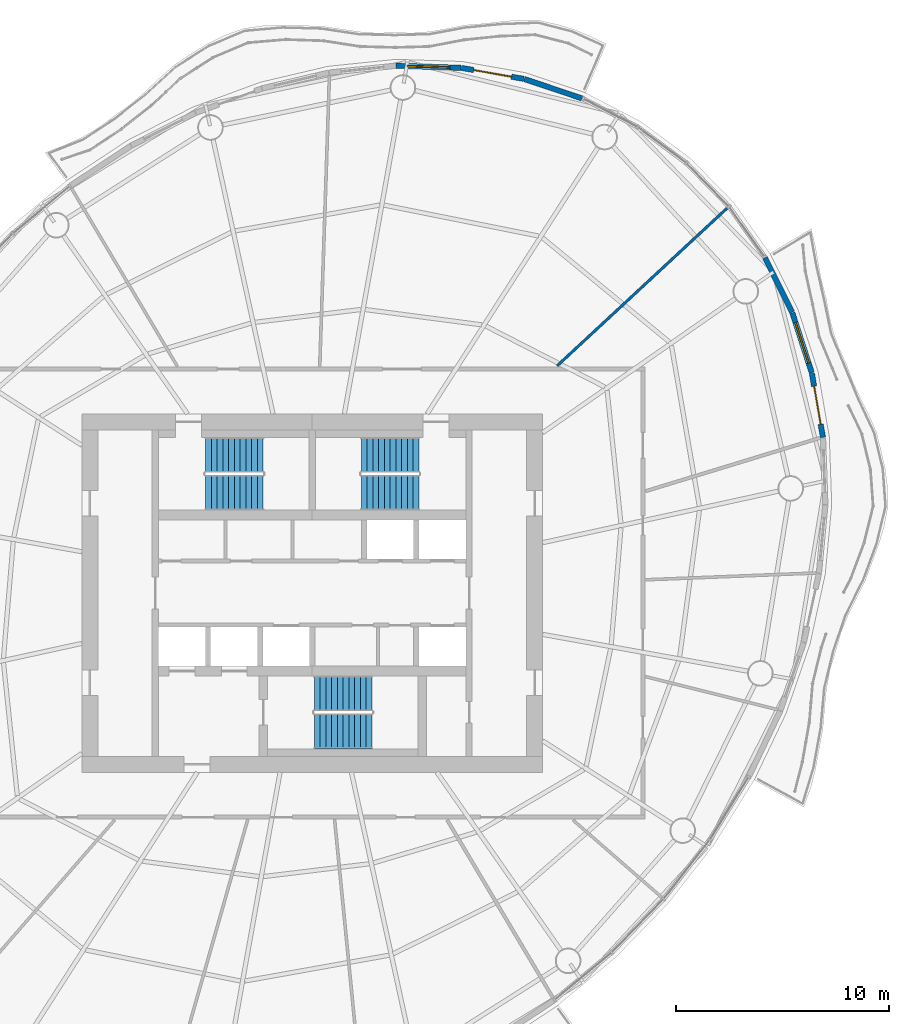
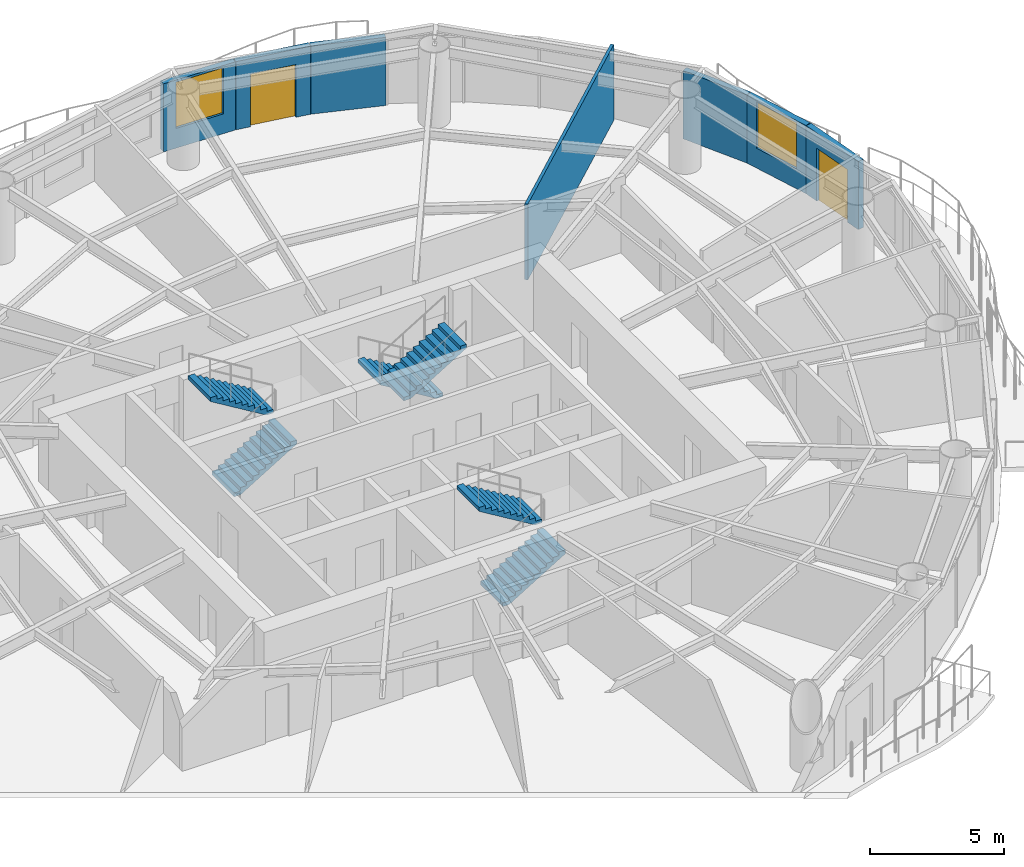
# One storey, part 11 of 14: 7 walls, 6 stair flights, 2 doors, 2 windows, 4 openings, 3 elements without a shape of their own.
"""IFC4 building model written with IfcOpenShell, lengths in metres."""

from ifc_helpers import new_model, si_unit, direction, frame, frame_2d, origin, place, context, subcontext, project, spatial, polyline, rectangle, outline, extrude, material, layer, layer_set, type_object, element, fill, aggregate, save


model = new_model("IFC4")

# Units and contexts
model_context = context("Model", 3, precision=1e-05, world=origin(), true_north=direction((0.0, 1.0)))
body_context = subcontext(model_context, "Body", "Model", "MODEL_VIEW")
ifc_project = project(units=[si_unit("LENGTHUNIT", "METRE"), si_unit("AREAUNIT", "SQUARE_METRE"), si_unit("VOLUMEUNIT", "CUBIC_METRE"), si_unit("PLANEANGLEUNIT", "RADIAN"), si_unit("MASSUNIT", "GRAM", prefix="KILO")], contexts=[model_context])

# Site, building, storey
site_placement = place(None, origin())
site = spatial("IfcSite", under=ifc_project, at=site_placement, CompositionType="ELEMENT")
building_placement = place(site_placement, origin())
building = spatial("IfcBuilding", under=site, at=building_placement, Name="Vermilion Reach Broadcast Tower", CompositionType="ELEMENT")
storey_placement = place(building_placement, frame((0.0, 0.0, 228.10009765625)))
storey = spatial("IfcBuildingStorey", under=building, at=storey_placement, Name="L56", CompositionType="ELEMENT", Elevation=228.10009765625)

# Walls
ifc_material_1 = material(Name="Fire-rated plasterboard on steel stud", Category="steel")
ifc_layer_1 = layer(ifc_material_1, 0.125)
ifc_layer_set_1 = layer_set([ifc_layer_1], Name="Partition 125 fire-rated stud")
wall_type_1 = type_object("IfcWallType", Name="Partition 125 fire-rated stud", PredefinedType="PARTITIONING", material=ifc_layer_set_1)
wall_1_placement = place(storey_placement, frame((13.437255859375, 18.03076171875, 0.0), z_axis=(0.0, 0.0, 1.0), x_axis=(-0.733128123603, -0.680090548665, 0.0)))
element("IfcWall", 1, at=wall_1_placement, inside=storey, type_object=wall_type_1, Name="Partition 56.14", PredefinedType="PARTITIONING", context=body_context, shape_type="SweptSolid", body=[
    extrude(rectangle(XDim=10.85888671875, YDim=0.125, at=frame_2d((5.429443359375, 0.0))), origin(), (0.0, 0.0, 1.0), 3.449951171875),
])
ifc_material_2 = material(Name="Terracotta rainscreen cladding", Category="masonry")
ifc_layer_2 = layer(ifc_material_2, 0.25)
ifc_layer_set_2 = layer_set([ifc_layer_2], Name="Terracotta rainscreen wall 250")
wall_type_2 = type_object("IfcWallType", Name="Terracotta rainscreen wall 250", PredefinedType="SOLIDWALL", material=ifc_layer_set_2)
wall_2_placement = place(storey_placement, frame((6.6416015625, 23.18310546875, 0.0), z_axis=(0.0, 0.0, 1.0), x_axis=(-0.948125770961, 0.31789545835, 0.0)))
element("IfcWall", 2, at=wall_2_placement, inside=storey, type_object=wall_type_2, Name="External wall L56 02", PredefinedType="SOLIDWALL", context=body_context, shape_type="SweptSolid", body=[
    extrude(rectangle(XDim=2.853759765625, YDim=0.25, at=frame_2d((1.4267578125, 0.0))), origin(), (0.0, 0.0, 1.0), 3.099853515625),
])

# Wall, opening, door
wall_3_placement = place(storey_placement, frame((3.91015625, 24.096923828125, 0.0), z_axis=(0.0, 0.0, 1.0), x_axis=(-0.984808450363, 0.173644222745, 0.0)))
wall_3 = element("IfcWall", 3, at=wall_3_placement, inside=storey, type_object=wall_type_2, Name="External wall L56 03", PredefinedType="SOLIDWALL", context=body_context, shape_type="SweptSolid", body=[
    extrude(rectangle(XDim=2.9609375, YDim=0.25, at=frame_2d((1.48046875, 0.0))), origin(), (0.0, 0.0, 1.0), 3.099853515625),
])
opening_1_placement = place(wall_3_placement, frame((0.580078125, 0.0, 0.0)))
opening_1 = element("IfcOpeningElement", 4, at=opening_1_placement, cuts=wall_3, Name="Opening D70", PredefinedType="OPENING", context=body_context, shape_type="SweptSolid", body=[
    extrude(rectangle(XDim=1.800048828125, YDim=2.39990234375, at=frame_2d((0.89990234375, 1.199951171875))), frame((0.0, 0.135009765625, 0.0), z_axis=(0.0, -1.0, 0.0), x_axis=(1.0, 0.0, 0.0)), (0.0, 0.0, 1.0), 0.27001953125),
])
ifc_material_3 = material(Name="Low-e laminated clear glass in aluminium frame", Category="aluminium")
door_type = type_object("IfcDoorType", Name="Balcony sliding door 1800 x 2400", OperationType="DOUBLE_DOOR_SLIDING", PredefinedType="DOOR", material=ifc_material_3)
door_1_placement = place(opening_1_placement, origin())
door_1 = element("IfcDoor", 5, at=door_1_placement, inside=storey, type_object=door_type, Name="Balcony door L56 run 01", OperationType="DOUBLE_DOOR_SLIDING", OverallHeight=2.39990234375, OverallWidth=1.800048828125, PredefinedType="DOOR", context=body_context, shape_type="SweptSolid", body=[
    extrude(rectangle(XDim=1.800048828125, YDim=2.39990234375, at=frame_2d((0.89990234375, 1.199951171875))), frame((0.0, 0.02490234375, 0.0), z_axis=(0.0, -1.0, 0.0), x_axis=(1.0, 0.0, 0.0)), (0.0, 0.0, 1.0), 0.050048828125),
])
fill(opening_1, door_1)

# Wall, opening, window
wall_4_placement = place(storey_placement, frame((0.968505859375, 24.61376953125, 0.0), z_axis=(0.0, 0.0, 1.0), x_axis=(-0.999483698552, 0.032129991113, 0.0)))
wall_4 = element("IfcWall", 6, at=wall_4_placement, inside=storey, type_object=wall_type_2, Name="External wall L56 04", PredefinedType="SOLIDWALL", context=body_context, shape_type="SweptSolid", body=[
    extrude(rectangle(XDim=3.039306640625, YDim=0.25, at=frame_2d((1.51953125, 0.0))), origin(), (0.0, 0.0, 1.0), 3.099853515625),
])
opening_2_placement = place(wall_4_placement, frame((0.519775390625, 0.0, 0.89990234375)))
opening_2 = element("IfcOpeningElement", 7, at=opening_2_placement, cuts=wall_4, Name="Opening W03", PredefinedType="OPENING", context=body_context, shape_type="SweptSolid", body=[
    extrude(rectangle(XDim=2.0, YDim=2.10009765625, at=frame_2d((1.0, 1.050048828125))), frame((0.0, 0.135009765625, 0.0), z_axis=(0.0, -1.0, 0.0), x_axis=(1.0, 0.0, 0.0)), (0.0, 0.0, 1.0), 0.27001953125),
])
ifc_material_4 = material(Name="Low-e laminated clear glass in aluminium frame", Category="aluminium")
window_type = type_object("IfcWindowType", Name="Punched window 2000 x 2100 sill 900", PartitioningType="SINGLE_PANEL", PredefinedType="WINDOW", material=ifc_material_4)
window_1_placement = place(opening_2_placement, origin())
window_1 = element("IfcWindow", 8, at=window_1_placement, inside=storey, type_object=window_type, Name="Window L56 04", OverallHeight=2.10009765625, OverallWidth=2.0, PartitioningType="SINGLE_PANEL", PredefinedType="WINDOW", context=body_context, shape_type="SweptSolid", body=[
    extrude(rectangle(XDim=2.0, YDim=2.10009765625, at=frame_2d((1.0, 1.050048828125))), frame((0.0, 0.030029296875, 0.0), z_axis=(0.0, -1.0, 0.0), x_axis=(1.0, 0.0, 0.0)), (0.0, 0.0, 1.0), 0.06005859375),
])
fill(opening_2, window_1)

# Wall, opening, door
wall_5_placement = place(storey_placement, frame((17.934326171875, 7.29833984375, 0.0), z_axis=(0.0, 0.0, 1.0), x_axis=(-0.169645994058, 0.985505066806, 0.0)))
wall_5 = element("IfcWall", 9, at=wall_5_placement, inside=storey, type_object=wall_type_2, Name="External wall L56 43", PredefinedType="SOLIDWALL", context=body_context, shape_type="SweptSolid", body=[
    extrude(rectangle(XDim=3.039306640625, YDim=0.25, at=frame_2d((1.51953125, 0.0))), origin(), (0.0, 0.0, 1.0), 3.099853515625),
])
opening_3_placement = place(wall_5_placement, frame((0.6201171875, 0.0, 0.0)))
opening_3 = element("IfcOpeningElement", 10, at=opening_3_placement, cuts=wall_5, Name="Opening D70", PredefinedType="OPENING", context=body_context, shape_type="SweptSolid", body=[
    extrude(rectangle(XDim=1.800048828125, YDim=2.39990234375, at=frame_2d((0.89990234375, 1.199951171875))), frame((0.0, 0.135009765625, 0.0), z_axis=(0.0, -1.0, 0.0), x_axis=(1.0, 0.0, 0.0)), (0.0, 0.0, 1.0), 0.27001953125),
])
door_2_placement = place(opening_3_placement, origin())
door_2 = element("IfcDoor", 11, at=door_2_placement, inside=storey, type_object=door_type, Name="Balcony door L56 run 11", OperationType="DOUBLE_DOOR_SLIDING", OverallHeight=2.39990234375, OverallWidth=1.800048828125, PredefinedType="DOOR", context=body_context, shape_type="SweptSolid", body=[
    extrude(rectangle(XDim=1.800048828125, YDim=2.39990234375, at=frame_2d((0.89990234375, 1.199951171875))), frame((0.0, 0.02490234375, 0.0), z_axis=(0.0, -1.0, 0.0), x_axis=(1.0, 0.0, 0.0)), (0.0, 0.0, 1.0), 0.050048828125),
])
fill(opening_3, door_2)

# Wall, opening, window
wall_6_placement = place(storey_placement, frame((17.41259765625, 10.318603515625, 0.0), z_axis=(0.0, 0.0, 1.0), x_axis=(-0.307706130581, 0.951481443436, 0.0)))
wall_6 = element("IfcWall", 12, at=wall_6_placement, inside=storey, type_object=wall_type_2, Name="External wall L56 44", PredefinedType="SOLIDWALL", context=body_context, shape_type="SweptSolid", body=[
    extrude(rectangle(XDim=2.9609375, YDim=0.25, at=frame_2d((1.48046875, 0.0))), origin(), (0.0, 0.0, 1.0), 3.099853515625),
])
opening_4_placement = place(wall_6_placement, frame((0.48046875, 0.0, 0.89990234375)))
opening_4 = element("IfcOpeningElement", 13, at=opening_4_placement, cuts=wall_6, Name="Opening W03", PredefinedType="OPENING", context=body_context, shape_type="SweptSolid", body=[
    extrude(rectangle(XDim=2.0, YDim=2.10009765625, at=frame_2d((1.0, 1.050048828125))), frame((0.0, 0.135009765625, 0.0), z_axis=(0.0, -1.0, 0.0), x_axis=(1.0, 0.0, 0.0)), (0.0, 0.0, 1.0), 0.27001953125),
])
window_2_placement = place(opening_4_placement, origin())
window_2 = element("IfcWindow", 14, at=window_2_placement, inside=storey, type_object=window_type, Name="Window L56 44", OverallHeight=2.10009765625, OverallWidth=2.0, PartitioningType="SINGLE_PANEL", PredefinedType="WINDOW", context=body_context, shape_type="SweptSolid", body=[
    extrude(rectangle(XDim=2.0, YDim=2.10009765625, at=frame_2d((1.0, 1.050048828125))), frame((0.0, 0.030029296875, 0.0), z_axis=(0.0, -1.0, 0.0), x_axis=(1.0, 0.0, 0.0)), (0.0, 0.0, 1.0), 0.06005859375),
])
fill(opening_4, window_2)

# Wall
wall_7_placement = place(storey_placement, frame((16.491455078125, 13.160400390625, 0.0), z_axis=(0.0, 0.0, 1.0), x_axis=(-0.445536061048, 0.895263993639, 0.0)))
element("IfcWall", 15, at=wall_7_placement, inside=storey, type_object=wall_type_2, Name="External wall L56 45", PredefinedType="SOLIDWALL", context=body_context, shape_type="SweptSolid", body=[
    extrude(rectangle(XDim=2.853759765625, YDim=0.25, at=frame_2d((1.4267578125, 0.0))), origin(), (0.0, 0.0, 1.0), 3.099853515625),
])

# Stair, stair flights
ifc_material_5 = material(Name="Concrete C40", Category="concrete")
stair_type = type_object("IfcStairType", Name="Exit stair RC 22 risers 164 mm", PredefinedType="HALF_TURN_STAIR", material=ifc_material_5)
placement = place(storey_placement, origin())
stair_1 = element("IfcStair", 16, at=placement, inside=storey, type_object=stair_type, Name="L56 Exit stair ST1", PredefinedType="HALF_TURN_STAIR")
ifc_material_6 = material(Name="Concrete C40", Category="concrete")
stair_flight_type = type_object("IfcStairFlightType", Name="Exit stair flight RC 11 risers", PredefinedType="STRAIGHT", material=ifc_material_6)
stair_flight_1_placement = place(storey_placement, frame((-11.0, 4.7099609375, 0.0), z_axis=(0.0, 0.0, 1.0), x_axis=(1.0, 0.0, 0.0)))
stair_flight_1 = element("IfcStairFlight", 17, at=stair_flight_1_placement, type_object=stair_flight_type, Name="ST1 flight 1", NumberOfRisers=11, NumberOfTreads=10, PredefinedType="STRAIGHT", RiserHeight=0.163636364, TreadLength=0.27, context=body_context, shape_type="SweptSolid", body=[
    extrude(outline(polyline([(0.0, 0.0), (0.0, 0.16357421875), (0.27001953125, 0.16357421875), (0.27001953125, 0.327392578125), (0.5400390625, 0.327392578125), (0.5400390625, 0.490966796875), (0.81005859375, 0.490966796875), (0.81005859375, 0.654541015625), (1.080078125, 0.654541015625), (1.080078125, 0.818115234375), (1.35009765625, 0.818115234375), (1.35009765625, 0.98193359375), (1.6201171875, 0.98193359375), (1.6201171875, 1.1455078125), (1.889892578125, 1.1455078125), (1.889892578125, 1.30908203125), (2.159912109375, 1.30908203125), (2.159912109375, 1.47265625), (2.429931640625, 1.47265625), (2.429931640625, 1.636474609375), (2.699951171875, 1.636474609375), (2.699951171875, 1.800048828125), (2.699951171875, 1.461181640625), (0.289306640625, 0.0), (0.0, 0.0)])), frame((0.0, 0.830078125, 0.0), z_axis=(0.0, -1.0, 0.0), x_axis=(1.0, 0.0, 0.0)), (0.0, 0.0, 1.0), 1.659912109375),
])
stair_flight_2_placement = place(storey_placement, frame((-8.300048828125, 6.469970703125, 1.7998046875), z_axis=(0.0, 0.0, 1.0), x_axis=(-1.0, 0.0, 0.0)))
stair_flight_2 = element("IfcStairFlight", 18, at=stair_flight_2_placement, type_object=stair_flight_type, Name="ST1 flight 2", NumberOfRisers=11, NumberOfTreads=10, PredefinedType="STRAIGHT", RiserHeight=0.163636364, TreadLength=0.27, context=body_context, shape_type="SweptSolid", body=[
    extrude(outline(polyline([(0.0, 0.0), (0.0, 0.16357421875), (0.27001953125, 0.16357421875), (0.27001953125, 0.327392578125), (0.5400390625, 0.327392578125), (0.5400390625, 0.490966796875), (0.81005859375, 0.490966796875), (0.81005859375, 0.654541015625), (1.080078125, 0.654541015625), (1.080078125, 0.818115234375), (1.35009765625, 0.818115234375), (1.35009765625, 0.98193359375), (1.6201171875, 0.98193359375), (1.6201171875, 1.1455078125), (1.889892578125, 1.1455078125), (1.889892578125, 1.30908203125), (2.159912109375, 1.30908203125), (2.159912109375, 1.47265625), (2.429931640625, 1.47265625), (2.429931640625, 1.636474609375), (2.699951171875, 1.636474609375), (2.699951171875, 1.800048828125), (2.699951171875, 1.461181640625), (0.289306640625, 0.0), (0.0, 0.0)])), frame((0.0, 0.830078125, 0.0), z_axis=(0.0, -1.0, 0.0), x_axis=(1.0, 0.0, 0.0)), (0.0, 0.0, 1.0), 1.659912109375),
])
aggregate(stair_1, [stair_flight_1, stair_flight_2])

stair_2 = element("IfcStair", 19, at=placement, inside=storey, type_object=stair_type, Name="L56 Exit stair ST2", PredefinedType="HALF_TURN_STAIR")
stair_flight_3_placement = place(storey_placement, frame((-1.0, 6.469970703125, 0.0), z_axis=(0.0, 0.0, 1.0), x_axis=(-1.0, 0.0, 0.0)))
stair_flight_3 = element("IfcStairFlight", 20, at=stair_flight_3_placement, type_object=stair_flight_type, Name="ST2 flight 1", NumberOfRisers=11, NumberOfTreads=10, PredefinedType="STRAIGHT", RiserHeight=0.163636364, TreadLength=0.27, context=body_context, shape_type="SweptSolid", body=[
    extrude(outline(polyline([(0.0, 0.0), (0.0, 0.16357421875), (0.27001953125, 0.16357421875), (0.27001953125, 0.327392578125), (0.5400390625, 0.327392578125), (0.5400390625, 0.490966796875), (0.81005859375, 0.490966796875), (0.81005859375, 0.654541015625), (1.080078125, 0.654541015625), (1.080078125, 0.818115234375), (1.35009765625, 0.818115234375), (1.35009765625, 0.98193359375), (1.6201171875, 0.98193359375), (1.6201171875, 1.1455078125), (1.889892578125, 1.1455078125), (1.889892578125, 1.30908203125), (2.159912109375, 1.30908203125), (2.159912109375, 1.47265625), (2.429931640625, 1.47265625), (2.429931640625, 1.636474609375), (2.699951171875, 1.636474609375), (2.699951171875, 1.800048828125), (2.699951171875, 1.461181640625), (0.289306640625, 0.0), (0.0, 0.0)])), frame((0.0, 0.830078125, 0.0), z_axis=(0.0, -1.0, 0.0), x_axis=(1.0, 0.0, 0.0)), (0.0, 0.0, 1.0), 1.659912109375),
])
stair_flight_4_placement = place(storey_placement, frame((-3.699951171875, 4.7099609375, 1.7998046875), z_axis=(0.0, 0.0, 1.0), x_axis=(1.0, 0.0, 0.0)))
stair_flight_4 = element("IfcStairFlight", 21, at=stair_flight_4_placement, type_object=stair_flight_type, Name="ST2 flight 2", NumberOfRisers=11, NumberOfTreads=10, PredefinedType="STRAIGHT", RiserHeight=0.163636364, TreadLength=0.27, context=body_context, shape_type="SweptSolid", body=[
    extrude(outline(polyline([(0.0, 0.0), (0.0, 0.16357421875), (0.27001953125, 0.16357421875), (0.27001953125, 0.327392578125), (0.5400390625, 0.327392578125), (0.5400390625, 0.490966796875), (0.81005859375, 0.490966796875), (0.81005859375, 0.654541015625), (1.080078125, 0.654541015625), (1.080078125, 0.818115234375), (1.35009765625, 0.818115234375), (1.35009765625, 0.98193359375), (1.6201171875, 0.98193359375), (1.6201171875, 1.1455078125), (1.889892578125, 1.1455078125), (1.889892578125, 1.30908203125), (2.159912109375, 1.30908203125), (2.159912109375, 1.47265625), (2.429931640625, 1.47265625), (2.429931640625, 1.636474609375), (2.699951171875, 1.636474609375), (2.699951171875, 1.800048828125), (2.699951171875, 1.461181640625), (0.289306640625, 0.0), (0.0, 0.0)])), frame((0.0, 0.830078125, 0.0), z_axis=(0.0, -1.0, 0.0), x_axis=(1.0, 0.0, 0.0)), (0.0, 0.0, 1.0), 1.659912109375),
])
aggregate(stair_2, [stair_flight_3, stair_flight_4])

stair_3 = element("IfcStair", 22, at=placement, inside=storey, type_object=stair_type, Name="L56 Exit stair ST3", PredefinedType="HALF_TURN_STAIR")
stair_flight_5_placement = place(storey_placement, frame((-5.89990234375, -6.469970703125, 0.0), z_axis=(0.0, 0.0, 1.0), x_axis=(1.0, 0.0, 0.0)))
stair_flight_5 = element("IfcStairFlight", 23, at=stair_flight_5_placement, type_object=stair_flight_type, Name="ST3 flight 1", NumberOfRisers=11, NumberOfTreads=10, PredefinedType="STRAIGHT", RiserHeight=0.163636364, TreadLength=0.27, context=body_context, shape_type="SweptSolid", body=[
    extrude(outline(polyline([(0.0, 0.0), (0.0, 0.16357421875), (0.27001953125, 0.16357421875), (0.27001953125, 0.327392578125), (0.5400390625, 0.327392578125), (0.5400390625, 0.490966796875), (0.81005859375, 0.490966796875), (0.81005859375, 0.654541015625), (1.080078125, 0.654541015625), (1.080078125, 0.818115234375), (1.35009765625, 0.818115234375), (1.35009765625, 0.98193359375), (1.6201171875, 0.98193359375), (1.6201171875, 1.1455078125), (1.889892578125, 1.1455078125), (1.889892578125, 1.30908203125), (2.159912109375, 1.30908203125), (2.159912109375, 1.47265625), (2.429931640625, 1.47265625), (2.429931640625, 1.636474609375), (2.699951171875, 1.636474609375), (2.699951171875, 1.800048828125), (2.699951171875, 1.461181640625), (0.289306640625, 0.0), (0.0, 0.0)])), frame((0.0, 0.830078125, 0.0), z_axis=(0.0, -1.0, 0.0), x_axis=(1.0, 0.0, 0.0)), (0.0, 0.0, 1.0), 1.659912109375),
])
stair_flight_6_placement = place(storey_placement, frame((-3.199951171875, -4.7099609375, 1.7998046875), z_axis=(0.0, 0.0, 1.0), x_axis=(-1.0, 0.0, 0.0)))
stair_flight_6 = element("IfcStairFlight", 24, at=stair_flight_6_placement, type_object=stair_flight_type, Name="ST3 flight 2", NumberOfRisers=11, NumberOfTreads=10, PredefinedType="STRAIGHT", RiserHeight=0.163636364, TreadLength=0.27, context=body_context, shape_type="SweptSolid", body=[
    extrude(outline(polyline([(0.0, 0.0), (0.0, 0.16357421875), (0.27001953125, 0.16357421875), (0.27001953125, 0.327392578125), (0.5400390625, 0.327392578125), (0.5400390625, 0.490966796875), (0.81005859375, 0.490966796875), (0.81005859375, 0.654541015625), (1.080078125, 0.654541015625), (1.080078125, 0.818115234375), (1.35009765625, 0.818115234375), (1.35009765625, 0.98193359375), (1.6201171875, 0.98193359375), (1.6201171875, 1.1455078125), (1.889892578125, 1.1455078125), (1.889892578125, 1.30908203125), (2.159912109375, 1.30908203125), (2.159912109375, 1.47265625), (2.429931640625, 1.47265625), (2.429931640625, 1.636474609375), (2.699951171875, 1.636474609375), (2.699951171875, 1.800048828125), (2.699951171875, 1.461181640625), (0.289306640625, 0.0), (0.0, 0.0)])), frame((0.0, 0.830078125, 0.0), z_axis=(0.0, -1.0, 0.0), x_axis=(1.0, 0.0, 0.0)), (0.0, 0.0, 1.0), 1.659912109375),
])
aggregate(stair_3, [stair_flight_5, stair_flight_6])

save(model, "model.ifc")
